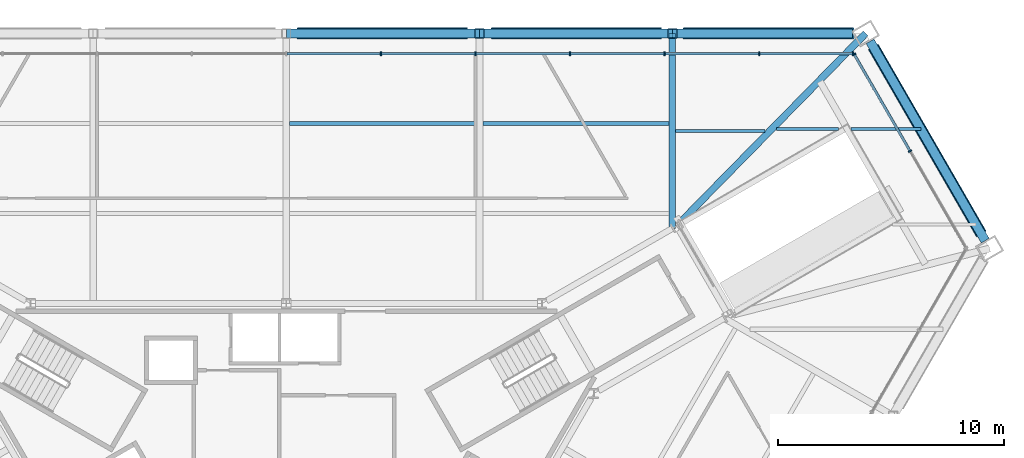
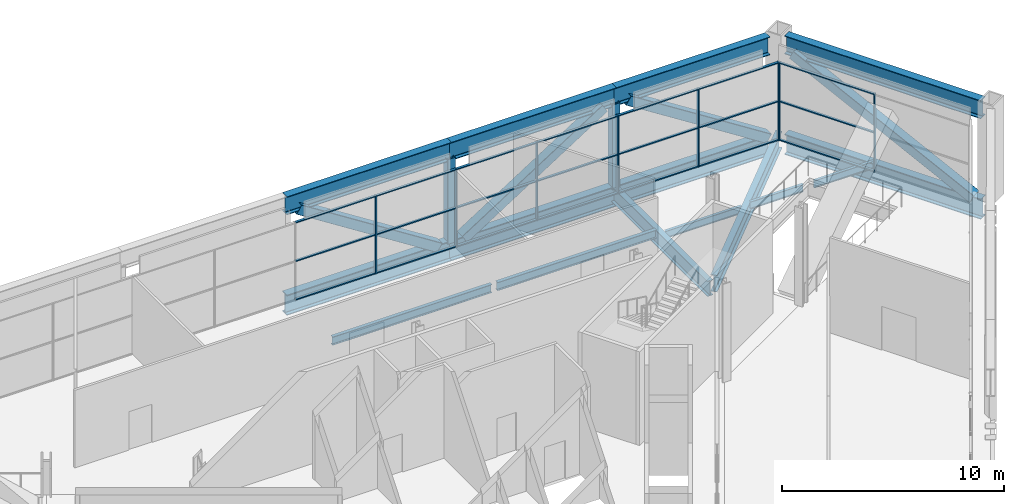
# One storey, part 10 of 20: 43 members, 7 beams, 2 elements without a shape of their own.
"""IFC4 building model written with IfcOpenShell, lengths in metres."""

from ifc_helpers import new_model, si_unit, direction, frame, origin, origin_2d, place, context, subcontext, project, spatial, rectangle, hollow_rectangle, i_section, extrude, material, layer, layer_set, material_profile, profile_set, type_object, element, aggregate, save


model = new_model("IFC4")

# Units and contexts
model_context = context("Model", 3, precision=1e-05, world=origin(), true_north=direction((0.0, 1.0)))
body_context = subcontext(model_context, "Body", "Model", "MODEL_VIEW")
ifc_project = project(units=[si_unit("LENGTHUNIT", "METRE"), si_unit("AREAUNIT", "SQUARE_METRE"), si_unit("VOLUMEUNIT", "CUBIC_METRE"), si_unit("PLANEANGLEUNIT", "RADIAN"), si_unit("MASSUNIT", "GRAM", prefix="KILO")], contexts=[model_context])

# Site, building, storey
site_placement = place(None, origin())
site = spatial("IfcSite", under=ifc_project, at=site_placement, CompositionType="ELEMENT")
building_placement = place(site_placement, origin())
building = spatial("IfcBuilding", under=site, at=building_placement, Name="Verrane Prism Tower", CompositionType="ELEMENT")
storey_placement = place(building_placement, frame((0.0, 0.0, 12.0)))
storey = spatial("IfcBuildingStorey", under=building, at=storey_placement, Name="L01", CompositionType="ELEMENT", Elevation=12.0)

# Curtain wall, members
ifc_material_1 = material(Name="Aluminium and glass curtain wall", Category="aluminium")
ifc_layer = layer(ifc_material_1, 0.199951171875)
ifc_layer_set = layer_set([ifc_layer], Name="CWB-1 retail curtain wall")
curtain_wall_type = type_object("IfcCurtainWallType", Name="CWB-1 retail curtain wall", PredefinedType="NOTDEFINED", material=ifc_layer_set)
curtain_wall_1_placement = place(storey_placement, origin())
curtain_wall_1 = element("IfcCurtainWall", 1, at=curtain_wall_1_placement, inside=storey, type_object=curtain_wall_type, Name="Retail curtain wall L01 1", PredefinedType="NOTDEFINED")
ifc_material_2 = material(Name="Aluminium", Category="aluminium")
ifc_material_profile_1 = material_profile(ifc_material_2, rectangle(XDim=0.159912109375, YDim=0.06005859375, at=origin_2d()), Name="CWB-M 60x160 mullion")
ifc_profile_set_1 = profile_set([ifc_material_profile_1], Name="Aluminium")
member_type_1 = type_object("IfcMemberType", Name="CWB-M 60x160 mullion", PredefinedType="MULLION", material=ifc_profile_set_1)
member_1_placement = place(storey_placement, frame((27.63818359375, 15.956787109375, 0.0), z_axis=(0.0, 0.0, 1.0), x_axis=(-0.866025871, -0.499999190758, 0.0)))
member_1 = element("IfcMember", 2, at=member_1_placement, type_object=member_type_1, Name="CWB11 mullion 2", PredefinedType="MULLION", context=body_context, shape_type="SweptSolid", body=[
    extrude(rectangle(XDim=0.159912109375, YDim=0.06005859375, at=origin_2d()), origin(), (0.0, 0.0, 1.0), 4.2900390625),
])
member_2_placement = place(storey_placement, frame((25.162841796875, 20.244140625, 0.0), z_axis=(0.0, 0.0, 1.0), x_axis=(-0.866025871, -0.499999190758, 0.0)))
member_2 = element("IfcMember", 3, at=member_2_placement, type_object=member_type_1, Name="CWB11 mullion 3", PredefinedType="MULLION", context=body_context, shape_type="SweptSolid", body=[
    extrude(rectangle(XDim=0.159912109375, YDim=0.06005859375, at=origin_2d()), origin(), (0.0, 0.0, 1.0), 4.2900390625),
])

curtain_wall_2_placement = place(storey_placement, origin())
curtain_wall_2 = element("IfcCurtainWall", 4, at=curtain_wall_2_placement, inside=storey, type_object=curtain_wall_type, Name="Retail curtain wall L01 2", PredefinedType="NOTDEFINED")
member_3_placement = place(storey_placement, frame((25.117919921875, 20.27001953125, 0.0), z_axis=(0.0, 0.0, 1.0), x_axis=(0.0, -1.0, 0.0)))
member_3 = element("IfcMember", 5, at=member_3_placement, type_object=member_type_1, Name="CWB12 mullion 1", PredefinedType="MULLION", context=body_context, shape_type="SweptSolid", body=[
    extrude(rectangle(XDim=0.159912109375, YDim=0.06005859375, at=origin_2d()), origin(), (0.0, 0.0, 1.0), 4.2900390625),
])
member_4_placement = place(storey_placement, frame((20.95654296875, 20.27001953125, 0.0), z_axis=(0.0, 0.0, 1.0), x_axis=(0.0, -1.0, 0.0)))
member_4 = element("IfcMember", 6, at=member_4_placement, type_object=member_type_1, Name="CWB12 mullion 2", PredefinedType="MULLION", context=body_context, shape_type="SweptSolid", body=[
    extrude(rectangle(XDim=0.159912109375, YDim=0.06005859375, at=origin_2d()), origin(), (0.0, 0.0, 1.0), 4.2900390625),
])
member_5_placement = place(storey_placement, frame((16.76513671875, 20.27001953125, 0.0), z_axis=(0.0, 0.0, 1.0), x_axis=(0.0, -1.0, 0.0)))
member_5 = element("IfcMember", 7, at=member_5_placement, type_object=member_type_1, Name="CWB12 mullion 3", PredefinedType="MULLION", context=body_context, shape_type="SweptSolid", body=[
    extrude(rectangle(XDim=0.159912109375, YDim=0.06005859375, at=origin_2d()), origin(), (0.0, 0.0, 1.0), 4.2900390625),
])
member_6_placement = place(storey_placement, frame((12.573974609375, 20.27001953125, 0.0), z_axis=(0.0, 0.0, 1.0), x_axis=(0.0, -1.0, 0.0)))
member_6 = element("IfcMember", 8, at=member_6_placement, type_object=member_type_1, Name="CWB12 mullion 4", PredefinedType="MULLION", context=body_context, shape_type="SweptSolid", body=[
    extrude(rectangle(XDim=0.159912109375, YDim=0.06005859375, at=origin_2d()), origin(), (0.0, 0.0, 1.0), 4.2900390625),
])
member_7_placement = place(storey_placement, frame((8.382568359375, 20.27001953125, 0.0), z_axis=(0.0, 0.0, 1.0), x_axis=(0.0, -1.0, 0.0)))
member_7 = element("IfcMember", 9, at=member_7_placement, type_object=member_type_1, Name="CWB12 mullion 5", PredefinedType="MULLION", context=body_context, shape_type="SweptSolid", body=[
    extrude(rectangle(XDim=0.159912109375, YDim=0.06005859375, at=origin_2d()), origin(), (0.0, 0.0, 1.0), 4.2900390625),
])
member_8_placement = place(storey_placement, frame((4.19140625, 20.27001953125, 0.0), z_axis=(0.0, 0.0, 1.0), x_axis=(0.0, -1.0, 0.0)))
member_8 = element("IfcMember", 10, at=member_8_placement, type_object=member_type_1, Name="CWB12 mullion 6", PredefinedType="MULLION", context=body_context, shape_type="SweptSolid", body=[
    extrude(rectangle(XDim=0.159912109375, YDim=0.06005859375, at=origin_2d()), origin(), (0.0, 0.0, 1.0), 4.2900390625),
])

# Member
ifc_material_3 = material(Name="Aluminium", Category="aluminium")
ifc_material_profile_2 = material_profile(ifc_material_3, rectangle(XDim=0.1201171875, YDim=0.06005859375, at=origin_2d()), Name="CWB-T 60x120 transom")
ifc_profile_set_2 = profile_set([ifc_material_profile_2], Name="Aluminium")
member_type_2 = type_object("IfcMemberType", Name="CWB-T 60x120 transom", PredefinedType="USERDEFINED", material=ifc_profile_set_2)
member_9_placement = place(storey_placement, frame((27.623046875, 15.98291015625, 0.030029296875), z_axis=(-0.499988949793, 0.86603178353, 0.0), x_axis=(-0.86603178353, -0.499988949793, 0.0)))
member_9 = element("IfcMember", 11, at=member_9_placement, type_object=member_type_2, Name="CWB11 transom 2.1", ObjectType="TRANSOM", PredefinedType="USERDEFINED", context=body_context, shape_type="SweptSolid", body=[
    extrude(rectangle(XDim=0.1201171875, YDim=0.06005859375, at=origin_2d()), origin(), (0.0, 0.0, 1.0), 4.89013671875),
])

member_10_placement = place(storey_placement, frame((27.623046875, 15.98291015625, 2.14501953125), z_axis=(-0.499988949793, 0.86603178353, 0.0), x_axis=(-0.86603178353, -0.499988949793, 0.0)))
member_10 = element("IfcMember", 12, at=member_10_placement, type_object=member_type_2, Name="CWB11 transom 2.2", ObjectType="TRANSOM", PredefinedType="USERDEFINED", context=body_context, shape_type="SweptSolid", body=[
    extrude(rectangle(XDim=0.1201171875, YDim=0.06005859375, at=origin_2d()), origin(), (0.0, 0.0, 1.0), 4.89013671875),
])

member_11_placement = place(storey_placement, frame((27.623046875, 15.98291015625, 4.260009765625), z_axis=(-0.499988949793, 0.86603178353, 0.0), x_axis=(-0.86603178353, -0.499988949793, 0.0)))
member_11 = element("IfcMember", 13, at=member_11_placement, type_object=member_type_2, Name="CWB11 transom 2.3", ObjectType="TRANSOM", PredefinedType="USERDEFINED", context=body_context, shape_type="SweptSolid", body=[
    extrude(rectangle(XDim=0.1201171875, YDim=0.06005859375, at=origin_2d()), origin(), (0.0, 0.0, 1.0), 4.89013671875),
])

aggregate(curtain_wall_1, [member_1, member_2, member_9, member_10, member_11])

member_12_placement = place(storey_placement, frame((25.087890625, 20.27001953125, 0.030029296875), z_axis=(-1.0, 0.0, 0.0), x_axis=(0.0, -1.0, 0.0)))
member_12 = element("IfcMember", 14, at=member_12_placement, type_object=member_type_2, Name="CWB12 transom 1.1", ObjectType="TRANSOM", PredefinedType="USERDEFINED", context=body_context, shape_type="SweptSolid", body=[
    extrude(rectangle(XDim=0.1201171875, YDim=0.06005859375, at=origin_2d()), origin(), (0.0, 0.0, 1.0), 4.101318359375),
])

member_13_placement = place(storey_placement, frame((25.087890625, 20.27001953125, 2.14501953125), z_axis=(-1.0, 0.0, 0.0), x_axis=(0.0, -1.0, 0.0)))
member_13 = element("IfcMember", 15, at=member_13_placement, type_object=member_type_2, Name="CWB12 transom 1.2", ObjectType="TRANSOM", PredefinedType="USERDEFINED", context=body_context, shape_type="SweptSolid", body=[
    extrude(rectangle(XDim=0.1201171875, YDim=0.06005859375, at=origin_2d()), origin(), (0.0, 0.0, 1.0), 4.101318359375),
])

member_14_placement = place(storey_placement, frame((25.087890625, 20.27001953125, 4.260009765625), z_axis=(-1.0, 0.0, 0.0), x_axis=(0.0, -1.0, 0.0)))
member_14 = element("IfcMember", 16, at=member_14_placement, type_object=member_type_2, Name="CWB12 transom 1.3", ObjectType="TRANSOM", PredefinedType="USERDEFINED", context=body_context, shape_type="SweptSolid", body=[
    extrude(rectangle(XDim=0.1201171875, YDim=0.06005859375, at=origin_2d()), origin(), (0.0, 0.0, 1.0), 4.101318359375),
])

member_15_placement = place(storey_placement, frame((20.926513671875, 20.27001953125, 0.030029296875), z_axis=(-1.0, 0.0, 0.0), x_axis=(0.0, -1.0, 0.0)))
member_15 = element("IfcMember", 17, at=member_15_placement, type_object=member_type_2, Name="CWB12 transom 2.1", ObjectType="TRANSOM", PredefinedType="USERDEFINED", context=body_context, shape_type="SweptSolid", body=[
    extrude(rectangle(XDim=0.1201171875, YDim=0.06005859375, at=origin_2d()), origin(), (0.0, 0.0, 1.0), 4.13134765625),
])

member_16_placement = place(storey_placement, frame((20.926513671875, 20.27001953125, 2.14501953125), z_axis=(-1.0, 0.0, 0.0), x_axis=(0.0, -1.0, 0.0)))
member_16 = element("IfcMember", 18, at=member_16_placement, type_object=member_type_2, Name="CWB12 transom 2.2", ObjectType="TRANSOM", PredefinedType="USERDEFINED", context=body_context, shape_type="SweptSolid", body=[
    extrude(rectangle(XDim=0.1201171875, YDim=0.06005859375, at=origin_2d()), origin(), (0.0, 0.0, 1.0), 4.13134765625),
])

member_17_placement = place(storey_placement, frame((20.926513671875, 20.27001953125, 4.260009765625), z_axis=(-1.0, 0.0, 0.0), x_axis=(0.0, -1.0, 0.0)))
member_17 = element("IfcMember", 19, at=member_17_placement, type_object=member_type_2, Name="CWB12 transom 2.3", ObjectType="TRANSOM", PredefinedType="USERDEFINED", context=body_context, shape_type="SweptSolid", body=[
    extrude(rectangle(XDim=0.1201171875, YDim=0.06005859375, at=origin_2d()), origin(), (0.0, 0.0, 1.0), 4.13134765625),
])

member_18_placement = place(storey_placement, frame((16.7353515625, 20.27001953125, 0.030029296875), z_axis=(-1.0, 0.0, 0.0), x_axis=(0.0, -1.0, 0.0)))
member_18 = element("IfcMember", 20, at=member_18_placement, type_object=member_type_2, Name="CWB12 transom 3.1", ObjectType="TRANSOM", PredefinedType="USERDEFINED", context=body_context, shape_type="SweptSolid", body=[
    extrude(rectangle(XDim=0.1201171875, YDim=0.06005859375, at=origin_2d()), origin(), (0.0, 0.0, 1.0), 4.13134765625),
])

member_19_placement = place(storey_placement, frame((16.7353515625, 20.27001953125, 2.14501953125), z_axis=(-1.0, 0.0, 0.0), x_axis=(0.0, -1.0, 0.0)))
member_19 = element("IfcMember", 21, at=member_19_placement, type_object=member_type_2, Name="CWB12 transom 3.2", ObjectType="TRANSOM", PredefinedType="USERDEFINED", context=body_context, shape_type="SweptSolid", body=[
    extrude(rectangle(XDim=0.1201171875, YDim=0.06005859375, at=origin_2d()), origin(), (0.0, 0.0, 1.0), 4.13134765625),
])

member_20_placement = place(storey_placement, frame((16.7353515625, 20.27001953125, 4.260009765625), z_axis=(-1.0, 0.0, 0.0), x_axis=(0.0, -1.0, 0.0)))
member_20 = element("IfcMember", 22, at=member_20_placement, type_object=member_type_2, Name="CWB12 transom 3.3", ObjectType="TRANSOM", PredefinedType="USERDEFINED", context=body_context, shape_type="SweptSolid", body=[
    extrude(rectangle(XDim=0.1201171875, YDim=0.06005859375, at=origin_2d()), origin(), (0.0, 0.0, 1.0), 4.13134765625),
])

member_21_placement = place(storey_placement, frame((12.5439453125, 20.27001953125, 0.030029296875), z_axis=(-1.0, 0.0, 0.0), x_axis=(0.0, -1.0, 0.0)))
member_21 = element("IfcMember", 23, at=member_21_placement, type_object=member_type_2, Name="CWB12 transom 4.1", ObjectType="TRANSOM", PredefinedType="USERDEFINED", context=body_context, shape_type="SweptSolid", body=[
    extrude(rectangle(XDim=0.1201171875, YDim=0.06005859375, at=origin_2d()), origin(), (0.0, 0.0, 1.0), 4.13134765625),
])

member_22_placement = place(storey_placement, frame((12.5439453125, 20.27001953125, 2.14501953125), z_axis=(-1.0, 0.0, 0.0), x_axis=(0.0, -1.0, 0.0)))
member_22 = element("IfcMember", 24, at=member_22_placement, type_object=member_type_2, Name="CWB12 transom 4.2", ObjectType="TRANSOM", PredefinedType="USERDEFINED", context=body_context, shape_type="SweptSolid", body=[
    extrude(rectangle(XDim=0.1201171875, YDim=0.06005859375, at=origin_2d()), origin(), (0.0, 0.0, 1.0), 4.13134765625),
])

member_23_placement = place(storey_placement, frame((12.5439453125, 20.27001953125, 4.260009765625), z_axis=(-1.0, 0.0, 0.0), x_axis=(0.0, -1.0, 0.0)))
member_23 = element("IfcMember", 25, at=member_23_placement, type_object=member_type_2, Name="CWB12 transom 4.3", ObjectType="TRANSOM", PredefinedType="USERDEFINED", context=body_context, shape_type="SweptSolid", body=[
    extrude(rectangle(XDim=0.1201171875, YDim=0.06005859375, at=origin_2d()), origin(), (0.0, 0.0, 1.0), 4.13134765625),
])

member_24_placement = place(storey_placement, frame((8.3525390625, 20.27001953125, 0.030029296875), z_axis=(-1.0, 0.0, 0.0), x_axis=(0.0, -1.0, 0.0)))
member_24 = element("IfcMember", 26, at=member_24_placement, type_object=member_type_2, Name="CWB12 transom 5.1", ObjectType="TRANSOM", PredefinedType="USERDEFINED", context=body_context, shape_type="SweptSolid", body=[
    extrude(rectangle(XDim=0.1201171875, YDim=0.06005859375, at=origin_2d()), origin(), (0.0, 0.0, 1.0), 4.131103515625),
])

member_25_placement = place(storey_placement, frame((8.3525390625, 20.27001953125, 2.14501953125), z_axis=(-1.0, 0.0, 0.0), x_axis=(0.0, -1.0, 0.0)))
member_25 = element("IfcMember", 27, at=member_25_placement, type_object=member_type_2, Name="CWB12 transom 5.2", ObjectType="TRANSOM", PredefinedType="USERDEFINED", context=body_context, shape_type="SweptSolid", body=[
    extrude(rectangle(XDim=0.1201171875, YDim=0.06005859375, at=origin_2d()), origin(), (0.0, 0.0, 1.0), 4.131103515625),
])

member_26_placement = place(storey_placement, frame((8.3525390625, 20.27001953125, 4.260009765625), z_axis=(-1.0, 0.0, 0.0), x_axis=(0.0, -1.0, 0.0)))
member_26 = element("IfcMember", 28, at=member_26_placement, type_object=member_type_2, Name="CWB12 transom 5.3", ObjectType="TRANSOM", PredefinedType="USERDEFINED", context=body_context, shape_type="SweptSolid", body=[
    extrude(rectangle(XDim=0.1201171875, YDim=0.06005859375, at=origin_2d()), origin(), (0.0, 0.0, 1.0), 4.131103515625),
])

member_27_placement = place(storey_placement, frame((4.161376953125, 20.27001953125, 0.030029296875), z_axis=(-1.0, 0.0, 0.0), x_axis=(0.0, -1.0, 0.0)))
member_27 = element("IfcMember", 29, at=member_27_placement, type_object=member_type_2, Name="CWB12 transom 6.1", ObjectType="TRANSOM", PredefinedType="USERDEFINED", context=body_context, shape_type="SweptSolid", body=[
    extrude(rectangle(XDim=0.1201171875, YDim=0.06005859375, at=origin_2d()), origin(), (0.0, 0.0, 1.0), 4.13134765625),
])

member_28_placement = place(storey_placement, frame((4.161376953125, 20.27001953125, 2.14501953125), z_axis=(-1.0, 0.0, 0.0), x_axis=(0.0, -1.0, 0.0)))
member_28 = element("IfcMember", 30, at=member_28_placement, type_object=member_type_2, Name="CWB12 transom 6.2", ObjectType="TRANSOM", PredefinedType="USERDEFINED", context=body_context, shape_type="SweptSolid", body=[
    extrude(rectangle(XDim=0.1201171875, YDim=0.06005859375, at=origin_2d()), origin(), (0.0, 0.0, 1.0), 4.13134765625),
])

member_29_placement = place(storey_placement, frame((4.161376953125, 20.27001953125, 4.260009765625), z_axis=(-1.0, 0.0, 0.0), x_axis=(0.0, -1.0, 0.0)))
member_29 = element("IfcMember", 31, at=member_29_placement, type_object=member_type_2, Name="CWB12 transom 6.3", ObjectType="TRANSOM", PredefinedType="USERDEFINED", context=body_context, shape_type="SweptSolid", body=[
    extrude(rectangle(XDim=0.1201171875, YDim=0.06005859375, at=origin_2d()), origin(), (0.0, 0.0, 1.0), 4.13134765625),
])

aggregate(curtain_wall_2, [member_3, member_4, member_5, member_6, member_7, member_8, member_12, member_13, member_14, member_15, member_16, member_17, member_18, member_19, member_20, member_21, member_22, member_23, member_24, member_25, member_26, member_27, member_28, member_29])

# Beams
ifc_material_4 = material(Name="Steel A992", Category="steel")
ifc_material_profile_3 = material_profile(ifc_material_4, i_section(OverallWidth=0.307373046875, OverallDepth=0.927001953125, WebThickness=0.01953125, FlangeThickness=0.031982421875, FilletRadius=0.01904296875, at=origin_2d()), Name="W36x194")
ifc_profile_set_3 = profile_set([ifc_material_profile_3], Name="Steel A992")
beam_type_1 = type_object("IfcBeamType", Name="Corner girder W36x194", PredefinedType="BEAM", material=ifc_profile_set_3)
beam_1_placement = place(storey_placement, frame((25.66845703125, 21.16845703125, -0.68359375), z_axis=(-0.700377975453, -0.713772156574, 0.0), x_axis=(0.713772156574, -0.700377975453, 0.0)))
element("IfcBeam", 32, at=beam_1_placement, inside=storey, type_object=beam_type_1, Name="Corner girder L01", PredefinedType="BEAM", context=body_context, shape_type="SweptSolid", body=[
    extrude(i_section(OverallWidth=0.307373046875, OverallDepth=0.927001953125, WebThickness=0.01953125, FlangeThickness=0.031982421875, FilletRadius=0.01904296875, at=origin_2d()), origin(), (0.0, 0.0, 1.0), 11.701904296875),
])
ifc_material_5 = material(Name="Steel A992", Category="steel")
ifc_material_profile_4 = material_profile(ifc_material_5, i_section(OverallWidth=0.140380859375, OverallDepth=0.40380859375, WebThickness=0.007080078125, FlangeThickness=0.01123046875, FilletRadius=0.01025390625, at=origin_2d()), Name="W16x31")
ifc_profile_set_4 = profile_set([ifc_material_profile_4], Name="Steel A992")
beam_type_2 = type_object("IfcBeamType", Name="Floor beam W16x31", PredefinedType="BEAM", material=ifc_profile_set_4)
beam_2_placement = place(storey_placement, frame((17.256103515625, 16.85009765625, -0.36181640625), z_axis=(1.0, 0.0, 0.0), x_axis=(0.0, 1.0, 0.0)))
element("IfcBeam", 33, at=beam_2_placement, inside=storey, type_object=beam_type_2, Name="Floor beam L01", PredefinedType="BEAM", context=body_context, shape_type="SweptSolid", body=[
    extrude(i_section(OverallWidth=0.140380859375, OverallDepth=0.40380859375, WebThickness=0.007080078125, FlangeThickness=0.01123046875, FilletRadius=0.01025390625, at=origin_2d()), origin(), (0.0, 0.0, 1.0), 3.961181640625),
])
beam_3_placement = place(storey_placement, frame((21.730712890625, 16.93505859375, -0.36181640625), z_axis=(1.0, 0.0, 0.0), x_axis=(0.0, 1.0, 0.0)))
element("IfcBeam", 34, at=beam_3_placement, inside=storey, type_object=beam_type_2, Name="Floor beam L01", PredefinedType="BEAM", context=body_context, shape_type="SweptSolid", body=[
    extrude(i_section(OverallWidth=0.140380859375, OverallDepth=0.40380859375, WebThickness=0.007080078125, FlangeThickness=0.01123046875, FilletRadius=0.01025390625, at=origin_2d()), origin(), (0.0, 0.0, 1.0), 2.73681640625),
])
beam_4_placement = place(storey_placement, frame((25.030517578125, 16.93505859375, -0.36181640625), z_axis=(1.0, 0.0, 0.0), x_axis=(0.0, 1.0, 0.0)))
element("IfcBeam", 35, at=beam_4_placement, inside=storey, type_object=beam_type_2, Name="Floor beam L01", PredefinedType="BEAM", context=body_context, shape_type="SweptSolid", body=[
    extrude(i_section(OverallWidth=0.140380859375, OverallDepth=0.40380859375, WebThickness=0.007080078125, FlangeThickness=0.01123046875, FilletRadius=0.01025390625, at=origin_2d()), origin(), (0.0, 0.0, 1.0), 3.08349609375),
])
ifc_material_6 = material(Name="Steel A992", Category="steel")
ifc_material_profile_5 = material_profile(ifc_material_6, i_section(OverallWidth=0.1904296875, OverallDepth=0.457275390625, WebThickness=0.009033203125, FlangeThickness=0.014404296875, FilletRadius=0.01025390625, at=origin_2d()), Name="W18x50")
ifc_profile_set_5 = profile_set([ifc_material_profile_5], Name="Steel A992")
beam_type_3 = type_object("IfcBeamType", Name="Floor beam W18x50", PredefinedType="BEAM", material=ifc_profile_set_5)
beam_5_placement = place(storey_placement, frame((8.7060546875, 17.179931640625, -0.388671875), z_axis=(1.0, 0.0, 0.0), x_axis=(0.0, 1.0, 0.0)))
element("IfcBeam", 36, at=beam_5_placement, inside=storey, type_object=beam_type_3, Name="Floor beam L01", PredefinedType="BEAM", context=body_context, shape_type="SweptSolid", body=[
    extrude(i_section(OverallWidth=0.1904296875, OverallDepth=0.457275390625, WebThickness=0.009033203125, FlangeThickness=0.014404296875, FilletRadius=0.01025390625, at=origin_2d()), origin(), (0.0, 0.0, 1.0), 8.258056640625),
])
beam_6_placement = place(storey_placement, frame((0.14599609375, 17.179931640625, -0.388671875), z_axis=(1.0, 0.0, 0.0), x_axis=(0.0, 1.0, 0.0)))
element("IfcBeam", 37, at=beam_6_placement, inside=storey, type_object=beam_type_3, Name="Floor beam L01", PredefinedType="BEAM", context=body_context, shape_type="SweptSolid", body=[
    extrude(i_section(OverallWidth=0.1904296875, OverallDepth=0.457275390625, WebThickness=0.009033203125, FlangeThickness=0.014404296875, FilletRadius=0.01025390625, at=origin_2d()), origin(), (0.0, 0.0, 1.0), 8.26806640625),
])
ifc_material_7 = material(Name="Steel A992", Category="steel")
ifc_material_profile_6 = material_profile(ifc_material_7, i_section(OverallWidth=0.2919921875, OverallDepth=0.845703125, WebThickness=0.015380859375, FlangeThickness=0.0244140625, FilletRadius=0.017822265625, at=origin_2d()), Name="W33x141")
ifc_profile_set_6 = profile_set([ifc_material_profile_6], Name="Steel A992")
beam_type_4 = type_object("IfcBeamType", Name="Radial girder W33x141", PredefinedType="BEAM", material=ifc_profile_set_6)
beam_7_placement = place(storey_placement, frame((17.110107421875, 21.169921875, -0.642822265625), z_axis=(0.0, -1.0, 0.0), x_axis=(1.0, 0.0, 0.0)))
element("IfcBeam", 38, at=beam_7_placement, inside=storey, type_object=beam_type_4, Name="Radial girder L01", PredefinedType="BEAM", context=body_context, shape_type="SweptSolid", body=[
    extrude(i_section(OverallWidth=0.2919921875, OverallDepth=0.845703125, WebThickness=0.015380859375, FlangeThickness=0.0244140625, FilletRadius=0.017822265625, at=origin_2d()), origin(), (0.0, 0.0, 1.0), 8.639404296875),
])

# Members
ifc_material_8 = material(Name="Steel A992", Category="steel")
ifc_material_profile_7 = material_profile(ifc_material_8, i_section(OverallWidth=0.4013671875, OverallDepth=1.000732421875, WebThickness=0.01904296875, FlangeThickness=0.0361328125, FilletRadius=0.030029296875, at=origin_2d()), Name="W40x249")
ifc_profile_set_7 = profile_set([ifc_material_profile_7], Name="Steel A992")
member_type_3 = type_object("IfcMemberType", Name="Transfer truss chord W40x249", PredefinedType="CHORD", material=ifc_profile_set_7)
member_30_placement = place(storey_placement, frame((25.092529296875, 21.169921875, 4.739501953125), z_axis=(-1.0, 0.0, 0.0), x_axis=(0.0, -1.0, 0.0)))
element("IfcMember", 39, at=member_30_placement, inside=storey, type_object=member_type_3, Name="Truss chord L01", PredefinedType="CHORD", context=body_context, shape_type="SweptSolid", body=[
    extrude(i_section(OverallWidth=0.4013671875, OverallDepth=1.000732421875, WebThickness=0.01904296875, FlangeThickness=0.0361328125, FilletRadius=0.030029296875, at=origin_2d()), origin(), (0.0, 0.0, 1.0), 7.982421875),
])
member_31_placement = place(storey_placement, frame((17.110107421875, 21.169921875, 4.739501953125), z_axis=(-1.0, 0.0, 0.0), x_axis=(0.0, -1.0, 0.0)))
element("IfcMember", 40, at=member_31_placement, inside=storey, type_object=member_type_3, Name="Truss chord L01", PredefinedType="CHORD", context=body_context, shape_type="SweptSolid", body=[
    extrude(i_section(OverallWidth=0.4013671875, OverallDepth=1.000732421875, WebThickness=0.01904296875, FlangeThickness=0.0361328125, FilletRadius=0.030029296875, at=origin_2d()), origin(), (0.0, 0.0, 1.0), 8.550048828125),
])
member_32_placement = place(storey_placement, frame((8.56005859375, 21.169921875, 4.739501953125), z_axis=(-1.0, 0.0, 0.0), x_axis=(0.0, -1.0, 0.0)))
element("IfcMember", 41, at=member_32_placement, inside=storey, type_object=member_type_3, Name="Truss chord L01", PredefinedType="CHORD", context=body_context, shape_type="SweptSolid", body=[
    extrude(i_section(OverallWidth=0.4013671875, OverallDepth=1.000732421875, WebThickness=0.01904296875, FlangeThickness=0.0361328125, FilletRadius=0.030029296875, at=origin_2d()), origin(), (0.0, 0.0, 1.0), 8.56005859375),
])
member_33_placement = place(storey_placement, frame((30.97021484375, 11.986328125, 4.739501953125), z_axis=(-0.49986813558, 0.866101522359, 0.0), x_axis=(-0.866101522359, -0.49986813558, 0.0)))
element("IfcMember", 42, at=member_33_placement, inside=storey, type_object=member_type_3, Name="Truss chord L01", PredefinedType="CHORD", context=body_context, shape_type="SweptSolid", body=[
    extrude(i_section(OverallWidth=0.4013671875, OverallDepth=1.000732421875, WebThickness=0.01904296875, FlangeThickness=0.0361328125, FilletRadius=0.030029296875, at=origin_2d()), origin(), (0.0, 0.0, 1.0), 10.203369140625),
])
ifc_material_9 = material(Name="Steel A992", Category="steel")
ifc_material_profile_8 = material_profile(ifc_material_9, i_section(OverallWidth=0.40380859375, OverallDepth=1.11767578125, WebThickness=0.026123046875, FlangeThickness=0.044921875, FilletRadius=0.02001953125, at=origin_2d()), Name="W44x335")
ifc_profile_set_8 = profile_set([ifc_material_profile_8], Name="Steel A992")
member_type_4 = type_object("IfcMemberType", Name="Transfer truss chord W44x335", PredefinedType="CHORD", material=ifc_profile_set_8)
member_34_placement = place(storey_placement, frame((25.092529296875, 21.169921875, -0.72119140625), z_axis=(-1.0, 0.0, 0.0), x_axis=(0.0, -1.0, 0.0)))
element("IfcMember", 43, at=member_34_placement, inside=storey, type_object=member_type_4, Name="Truss chord L01", PredefinedType="CHORD", context=body_context, shape_type="SweptSolid", body=[
    extrude(i_section(OverallWidth=0.40380859375, OverallDepth=1.11767578125, WebThickness=0.026123046875, FlangeThickness=0.044921875, FilletRadius=0.02001953125, at=origin_2d()), origin(), (0.0, 0.0, 1.0), 7.982421875),
])
member_35_placement = place(storey_placement, frame((17.110107421875, 21.169921875, -0.72119140625), z_axis=(-1.0, 0.0, 0.0), x_axis=(0.0, -1.0, 0.0)))
element("IfcMember", 44, at=member_35_placement, inside=storey, type_object=member_type_4, Name="Truss chord L01", PredefinedType="CHORD", context=body_context, shape_type="SweptSolid", body=[
    extrude(i_section(OverallWidth=0.40380859375, OverallDepth=1.11767578125, WebThickness=0.026123046875, FlangeThickness=0.044921875, FilletRadius=0.02001953125, at=origin_2d()), origin(), (0.0, 0.0, 1.0), 8.550048828125),
])
member_36_placement = place(storey_placement, frame((8.56005859375, 21.169921875, -0.72119140625), z_axis=(-1.0, 0.0, 0.0), x_axis=(0.0, -1.0, 0.0)))
element("IfcMember", 45, at=member_36_placement, inside=storey, type_object=member_type_4, Name="Truss chord L01", PredefinedType="CHORD", context=body_context, shape_type="SweptSolid", body=[
    extrude(i_section(OverallWidth=0.40380859375, OverallDepth=1.11767578125, WebThickness=0.026123046875, FlangeThickness=0.044921875, FilletRadius=0.02001953125, at=origin_2d()), origin(), (0.0, 0.0, 1.0), 8.56005859375),
])
member_37_placement = place(storey_placement, frame((30.97021484375, 11.986328125, -0.72119140625), z_axis=(-0.49986813558, 0.866101522359, 0.0), x_axis=(-0.866101522359, -0.49986813558, 0.0)))
element("IfcMember", 46, at=member_37_placement, inside=storey, type_object=member_type_4, Name="Truss chord L01", PredefinedType="CHORD", context=body_context, shape_type="SweptSolid", body=[
    extrude(i_section(OverallWidth=0.40380859375, OverallDepth=1.11767578125, WebThickness=0.026123046875, FlangeThickness=0.044921875, FilletRadius=0.02001953125, at=origin_2d()), origin(), (0.0, 0.0, 1.0), 10.203369140625),
])
ifc_material_10 = material(Name="Steel A500 Grade C", Category="steel")
ifc_material_profile_9 = material_profile(ifc_material_10, hollow_rectangle(XDim=0.508056640625, YDim=0.508056640625, WallThickness=0.01904296875, InnerFilletRadius=0.009521484375, OuterFilletRadius=0.028564453125, at=origin_2d()), Name="HSS20x20x3/4")
ifc_profile_set_9 = profile_set([ifc_material_profile_9], Name="Steel A500 Grade C")
member_type_5 = type_object("IfcMemberType", Name="Transfer truss diagonal HSS20x20x3/4", PredefinedType="BRACE", material=ifc_profile_set_9)
member_38_placement = place(storey_placement, frame((25.010986328125, 21.169921875, -0.30078125), z_axis=(-0.843055155549, 0.0, 0.537827114138), x_axis=(0.0, -1.0, 0.0)))
element("IfcMember", 47, at=member_38_placement, inside=storey, type_object=member_type_5, Name="Truss diagonal L01", PredefinedType="BRACE", context=body_context, shape_type="SweptSolid", body=[
    extrude(hollow_rectangle(XDim=0.508056640625, YDim=0.508056640625, WallThickness=0.01904296875, InnerFilletRadius=0.009521484375, OuterFilletRadius=0.028564453125, at=origin_2d()), origin(), (0.0, 0.0, 1.0), 8.645751953125),
])
member_39_placement = place(storey_placement, frame((9.21826171875, 21.169921875, -0.30078125), z_axis=(0.84276891224, 0.0, 0.538275543344), x_axis=(0.0, 1.0, 0.0)))
element("IfcMember", 48, at=member_39_placement, inside=storey, type_object=member_type_5, Name="Truss diagonal L01", PredefinedType="BRACE", context=body_context, shape_type="SweptSolid", body=[
    extrude(hollow_rectangle(XDim=0.508056640625, YDim=0.508056640625, WallThickness=0.01904296875, InnerFilletRadius=0.009521484375, OuterFilletRadius=0.028564453125, at=origin_2d()), origin(), (0.0, 0.0, 1.0), 8.638427734375),
])
member_40_placement = place(storey_placement, frame((7.901123046875, 21.169921875, -0.30078125), z_axis=(-0.843055155549, 0.0, 0.537827114138), x_axis=(0.0, -1.0, 0.0)))
element("IfcMember", 49, at=member_40_placement, inside=storey, type_object=member_type_5, Name="Truss diagonal L01", PredefinedType="BRACE", context=body_context, shape_type="SweptSolid", body=[
    extrude(hollow_rectangle(XDim=0.508056640625, YDim=0.508056640625, WallThickness=0.01904296875, InnerFilletRadius=0.009521484375, OuterFilletRadius=0.028564453125, at=origin_2d()), origin(), (0.0, 0.0, 1.0), 8.645751953125),
])
member_41_placement = place(storey_placement, frame((30.74658203125, 12.37353515625, -0.30078125), z_axis=(-0.447745471367, 0.775822953801, 0.444547789587), x_axis=(-0.866110528485, -0.4998525307, 0.0)))
element("IfcMember", 50, at=member_41_placement, inside=storey, type_object=member_type_5, Name="Truss diagonal L01", PredefinedType="BRACE", context=body_context, shape_type="SweptSolid", body=[
    extrude(hollow_rectangle(XDim=0.508056640625, YDim=0.508056640625, WallThickness=0.01904296875, InnerFilletRadius=0.009521484375, OuterFilletRadius=0.028564453125, at=origin_2d()), origin(), (0.0, 0.0, 1.0), 10.4599609375),
])
ifc_material_11 = material(Name="Steel A500 Grade C", Category="steel")
ifc_material_profile_10 = material_profile(ifc_material_11, hollow_rectangle(XDim=0.406494140625, YDim=0.406494140625, WallThickness=0.01904296875, InnerFilletRadius=0.009521484375, OuterFilletRadius=0.028564453125, at=origin_2d()), Name="HSS16x16x3/4")
ifc_profile_set_10 = profile_set([ifc_material_profile_10], Name="Steel A500 Grade C")
member_type_6 = type_object("IfcMemberType", Name="Transfer truss post HSS16x16x3/4", PredefinedType="POST", material=ifc_profile_set_10)
for number, where, z_axis, x_axis, name in (
    (51, (17.110107421875, 21.169921875, -0.30078125), (0.0, 0.0, 1.0), (1.0, 0.0, 0.0), "Truss post L01"),
    (52, (8.56005859375, 21.169921875, -0.30078125), (0.0, 0.0, 1.0), (1.0, 0.0, 0.0), "Truss post L01"),
):
    element("IfcMember", number, at=place(storey_placement, frame(where, z_axis=z_axis, x_axis=x_axis)), inside=storey, type_object=member_type_6, Name=name, PredefinedType="POST", context=body_context, shape_type="SweptSolid", body=[
        extrude(hollow_rectangle(XDim=0.406494140625, YDim=0.406494140625, WallThickness=0.01904296875, InnerFilletRadius=0.009521484375, OuterFilletRadius=0.028564453125, at=origin_2d()), origin(), (0.0, 0.0, 1.0), 4.64990234375),
    ])

save(model, "model.ifc")
